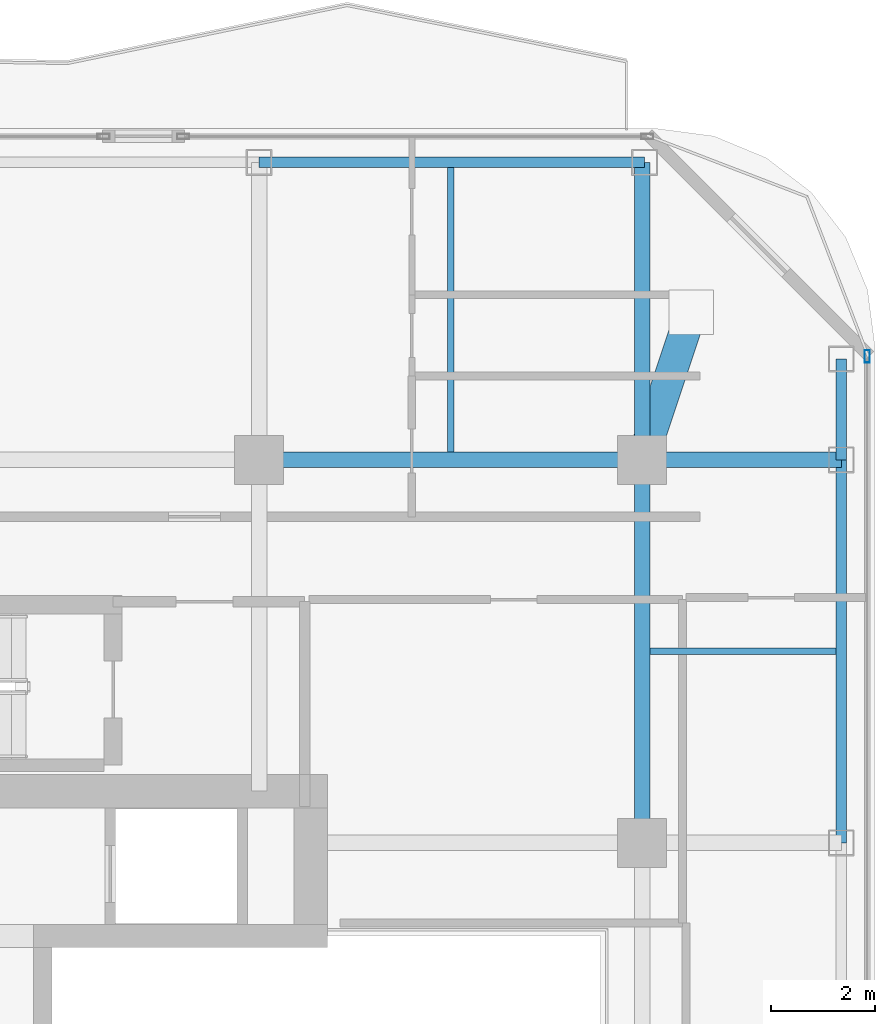
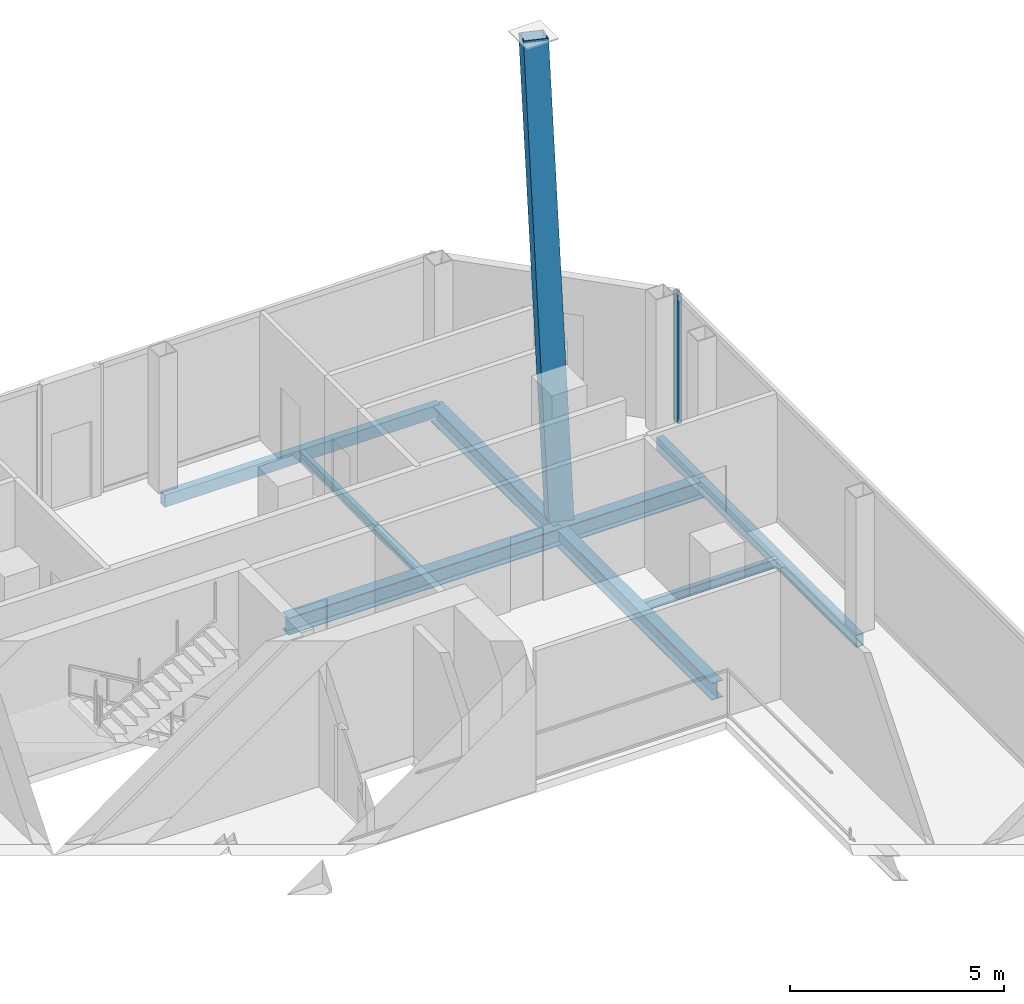
# One storey, part 14 of 24: 9 beams, 2 members, 1 element without a shape of its own.
"""IFC4 building model written with IfcOpenShell, lengths in metres."""

from ifc_helpers import new_model, si_unit, direction, frame, origin, origin_2d, place, context, subcontext, project, spatial, hollow_rectangle, i_section, extrude, material, layer, layer_set, material_profile, profile_set, type_object, element, aggregate, save


model = new_model("IFC4")

# Units and contexts
model_context = context("Model", 3, precision=1e-05, world=origin(), true_north=direction((0.0, 1.0)))
body_context = subcontext(model_context, "Body", "Model", "MODEL_VIEW")
ifc_project = project(units=[si_unit("LENGTHUNIT", "METRE"), si_unit("AREAUNIT", "SQUARE_METRE"), si_unit("VOLUMEUNIT", "CUBIC_METRE"), si_unit("PLANEANGLEUNIT", "RADIAN"), si_unit("MASSUNIT", "GRAM", prefix="KILO")], contexts=[model_context])

# Site, building, storey
site_placement = place(None, origin())
site = spatial("IfcSite", under=ifc_project, at=site_placement, CompositionType="ELEMENT")
building_placement = place(site_placement, origin())
building = spatial("IfcBuilding", under=site, at=building_placement, Name="Khorvyn Point Tower", CompositionType="ELEMENT")
storey_placement = place(building_placement, frame((0.0, 0.0, 301.5)))
storey = spatial("IfcBuildingStorey", under=building, at=storey_placement, Name="L74", CompositionType="ELEMENT", Elevation=301.5)

# Curtain wall, member
ifc_material_1 = material(Name="Anodised aluminium 6063-T6 and laminated Low-E glass", Category="aluminium")
ifc_layer = layer(ifc_material_1, 0.18994140625)
ifc_layer_set = layer_set([ifc_layer], Name="Stick-Built High-Wind Curtain Wall CW-SYS-04")
curtain_wall_type = type_object("IfcCurtainWallType", Name="Stick-Built High-Wind Curtain Wall CW-SYS-04", PredefinedType="NOTDEFINED", material=ifc_layer_set)
curtain_wall_placement = place(storey_placement, origin())
curtain_wall = element("IfcCurtainWall", 1, at=curtain_wall_placement, inside=storey, type_object=curtain_wall_type, Name="Curtain Wall", PredefinedType="NOTDEFINED")
ifc_material_2 = material(Name="Anodised aluminium 6063-T6", Category="aluminium")
ifc_material_profile_1 = material_profile(ifc_material_2, hollow_rectangle(XDim=0.10009765625, YDim=0.239990234375, WallThickness=0.0048828125, at=origin_2d()))
ifc_profile_set_1 = profile_set([ifc_material_profile_1], Name="Anodised aluminium 6063-T6 ALU-MUL-100x240")
member_type_1 = type_object("IfcMemberType", Name="Anodised Aluminium 6063-T6 Mullion ALU-MUL-100x240", PredefinedType="MULLION", material=ifc_profile_set_1)
member_1_placement = place(storey_placement, frame((19.14990234375, 16.800048828125, 0.0), z_axis=(0.0, 0.0, 1.0), x_axis=(1.0, 0.0, 0.0)))
member_1 = element("IfcMember", 2, at=member_1_placement, type_object=member_type_1, Name="Transom", PredefinedType="MULLION", context=body_context, shape_type="SweptSolid", body=[
    extrude(hollow_rectangle(XDim=0.10009765625, YDim=0.239990234375, WallThickness=0.0048828125, at=origin_2d()), origin(), (0.0, 0.0, 1.0), 3.679931640625),
])
aggregate(curtain_wall, [member_1])

# Beams
ifc_material_3 = material(Name="Steel S355", Category="steel")
ifc_material_profile_2 = material_profile(ifc_material_3, i_section(OverallWidth=0.125, OverallDepth=0.25, WebThickness=0.006103515625, FlangeThickness=0.009033203125, at=origin_2d()))
ifc_profile_set_2 = profile_set([ifc_material_profile_2], Name="Steel S355 H250x125x6x9")
beam_type_1 = type_object("IfcBeamType", Name="Steel S355 Joist H250x125x6x9", PredefinedType="JOIST", material=ifc_profile_set_2)
beam_1_placement = place(storey_placement, frame((14.949951171875, 11.10009765625, -0.344970703125), z_axis=(1.0, 0.0, 0.0), x_axis=(0.0, 1.0, 0.0)))
element("IfcBeam", 3, at=beam_1_placement, inside=storey, type_object=beam_type_1, Name="Beam", PredefinedType="JOIST", context=body_context, shape_type="SweptSolid", body=[
    extrude(i_section(OverallWidth=0.125, OverallDepth=0.25, WebThickness=0.006103515625, FlangeThickness=0.009033203125, at=origin_2d()), origin(), (0.0, 0.0, 1.0), 3.60009765625),
])
beam_2_placement = place(storey_placement, frame((11.10009765625, 14.949951171875, -0.344970703125), z_axis=(0.0, 1.0, 0.0), x_axis=(-1.0, 0.0, 0.0)))
element("IfcBeam", 4, at=beam_2_placement, inside=storey, type_object=beam_type_1, Name="Beam", PredefinedType="JOIST", context=body_context, shape_type="SweptSolid", body=[
    extrude(i_section(OverallWidth=0.125, OverallDepth=0.25, WebThickness=0.006103515625, FlangeThickness=0.009033203125, at=origin_2d()), origin(), (0.0, 0.0, 1.0), 5.5),
])
ifc_material_profile_3 = material_profile(ifc_material_3, i_section(OverallWidth=0.300048828125, OverallDepth=0.488037109375, WebThickness=0.010986328125, FlangeThickness=0.01806640625, at=origin_2d()))
ifc_profile_set_3 = profile_set([ifc_material_profile_3], Name="Steel S355 H488x300x11x18")
beam_type_2 = type_object("IfcBeamType", Name="Steel S355 Spandrel H488x300x11x18", PredefinedType="SPANDREL", material=ifc_profile_set_3)
beam_3_placement = place(storey_placement, frame((7.39990234375, 14.800048828125, -0.464111328125), z_axis=(1.0, 0.0, 0.0), x_axis=(0.0, 1.0, 0.0)))
element("IfcBeam", 5, at=beam_3_placement, inside=storey, type_object=beam_type_2, Name="Beam", PredefinedType="SPANDREL", context=body_context, shape_type="SweptSolid", body=[
    extrude(i_section(OverallWidth=0.300048828125, OverallDepth=0.488037109375, WebThickness=0.010986328125, FlangeThickness=0.01806640625, at=origin_2d()), origin(), (0.0, 0.0, 1.0), 7.400146484375),
])
beam_4_placement = place(storey_placement, frame((14.800048828125, 14.800048828125, -0.464111328125), z_axis=(1.0, 0.0, 0.0), x_axis=(0.0, 1.0, 0.0)))
element("IfcBeam", 6, at=beam_4_placement, inside=storey, type_object=beam_type_2, Name="Beam", PredefinedType="SPANDREL", context=body_context, shape_type="SweptSolid", body=[
    extrude(i_section(OverallWidth=0.300048828125, OverallDepth=0.488037109375, WebThickness=0.010986328125, FlangeThickness=0.01806640625, at=origin_2d()), origin(), (0.0, 0.0, 1.0), 3.849853515625),
])
beam_5_placement = place(storey_placement, frame((14.800048828125, 7.39990234375, -0.464111328125), z_axis=(0.0, 1.0, 0.0), x_axis=(-1.0, 0.0, 0.0)))
element("IfcBeam", 7, at=beam_5_placement, inside=storey, type_object=beam_type_2, Name="Beam", PredefinedType="SPANDREL", context=body_context, shape_type="SweptSolid", body=[
    extrude(i_section(OverallWidth=0.300048828125, OverallDepth=0.488037109375, WebThickness=0.010986328125, FlangeThickness=0.01806640625, at=origin_2d()), origin(), (0.0, 0.0, 1.0), 7.400146484375),
])
beam_6_placement = place(storey_placement, frame((14.800048828125, 14.800048828125, -0.464111328125), z_axis=(0.0, 1.0, 0.0), x_axis=(-1.0, 0.0, 0.0)))
element("IfcBeam", 8, at=beam_6_placement, inside=storey, type_object=beam_type_2, Name="Beam", PredefinedType="SPANDREL", context=body_context, shape_type="SweptSolid", body=[
    extrude(i_section(OverallWidth=0.300048828125, OverallDepth=0.488037109375, WebThickness=0.010986328125, FlangeThickness=0.01806640625, at=origin_2d()), origin(), (0.0, 0.0, 1.0), 5.75),
])
ifc_material_profile_4 = material_profile(ifc_material_3, hollow_rectangle(XDim=0.199951171875, YDim=0.35009765625, WallThickness=0.013916015625, at=origin_2d()))
ifc_profile_set_4 = profile_set([ifc_material_profile_4], Name="Steel S355 RHS350x200x14")
beam_type_3 = type_object("IfcBeamType", Name="Steel S355 Spandrel RHS350x200x14", PredefinedType="SPANDREL", material=ifc_profile_set_4)
beam_7_placement = place(storey_placement, frame((7.39990234375, 20.550048828125, -0.39501953125), z_axis=(1.0, 0.0, 0.0), x_axis=(0.0, 1.0, 0.0)))
element("IfcBeam", 9, at=beam_7_placement, inside=storey, type_object=beam_type_3, Name="Beam", PredefinedType="SPANDREL", context=body_context, shape_type="SweptSolid", body=[
    extrude(hollow_rectangle(XDim=0.199951171875, YDim=0.35009765625, WallThickness=0.013916015625, at=origin_2d()), origin(), (0.0, 0.0, 1.0), 7.4501953125),
])
beam_8_placement = place(storey_placement, frame((18.64990234375, 7.39990234375, -0.39501953125), z_axis=(0.0, 1.0, 0.0), x_axis=(-1.0, 0.0, 0.0)))
element("IfcBeam", 10, at=beam_8_placement, inside=storey, type_object=beam_type_3, Name="Beam", PredefinedType="SPANDREL", context=body_context, shape_type="SweptSolid", body=[
    extrude(hollow_rectangle(XDim=0.199951171875, YDim=0.35009765625, WallThickness=0.013916015625, at=origin_2d()), origin(), (0.0, 0.0, 1.0), 7.400146484375),
])
beam_9_placement = place(storey_placement, frame((18.64990234375, 14.800048828125, -0.39501953125), z_axis=(0.0, 1.0, 0.0), x_axis=(-1.0, 0.0, 0.0)))
element("IfcBeam", 11, at=beam_9_placement, inside=storey, type_object=beam_type_3, Name="Beam", PredefinedType="SPANDREL", context=body_context, shape_type="SweptSolid", body=[
    extrude(hollow_rectangle(XDim=0.199951171875, YDim=0.35009765625, WallThickness=0.013916015625, at=origin_2d()), origin(), (0.0, 0.0, 1.0), 1.949951171875),
])

# Member
ifc_material_4 = material(Name="Steel S450", Category="steel")
ifc_material_profile_5 = material_profile(ifc_material_4, hollow_rectangle(XDim=0.60009765625, YDim=0.60009765625, WallThickness=0.028076171875, at=origin_2d()))
ifc_profile_set_5 = profile_set([ifc_material_profile_5], Name="Steel S450 BOX600x600x28")
member_type_2 = type_object("IfcMemberType", Name="Steel S450 Exoskeleton Structural Post BOX600x600x28", PredefinedType="POST", material=ifc_profile_set_5)
member_2_placement = place(storey_placement, frame((14.800048828125, 14.800048828125, 0.0), z_axis=(0.078641971798, 0.235925915395, 0.968583709711), x_axis=(-0.948683298051, 0.316227766017, 0.0)))
element("IfcMember", 12, at=member_2_placement, inside=storey, type_object=member_type_2, Name="L74 to L77 Crown Corner Support Post 3", PredefinedType="POST", context=body_context, shape_type="SweptSolid", body=[
    extrude(hollow_rectangle(XDim=0.60009765625, YDim=0.60009765625, WallThickness=0.028076171875, at=origin_2d()), origin(), (0.0, 0.0, 1.0), 12.079345703125),
])

save(model, "model.ifc")
